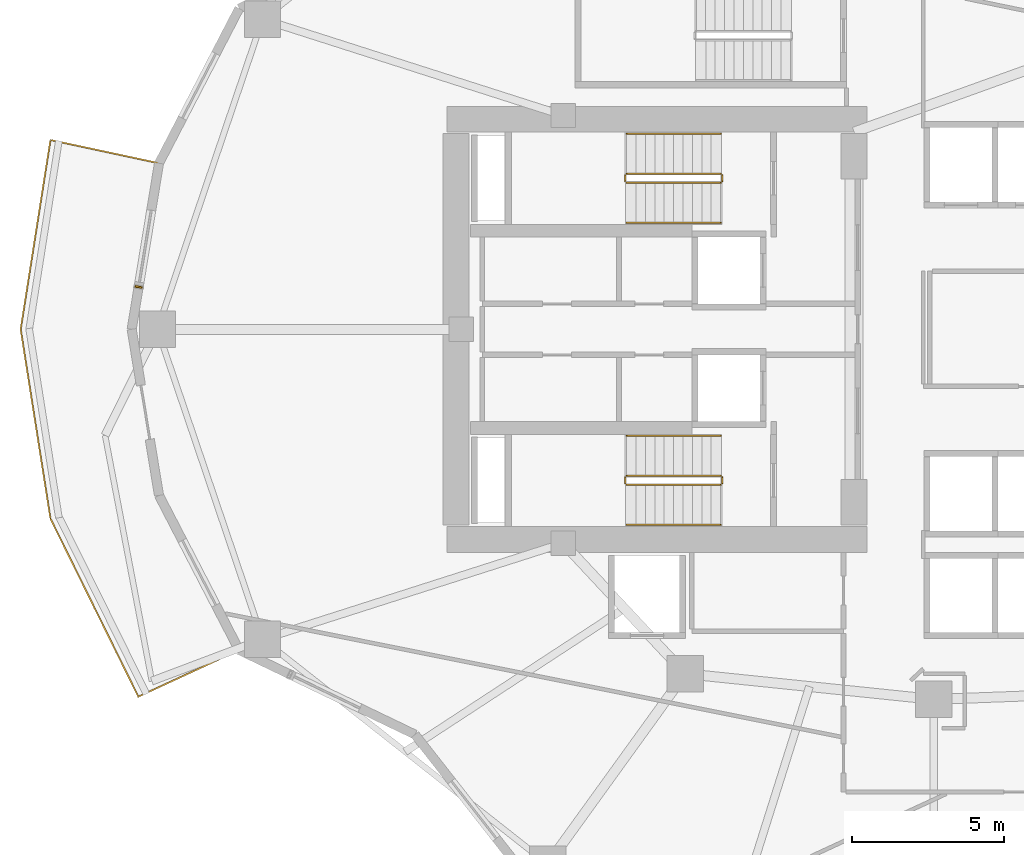
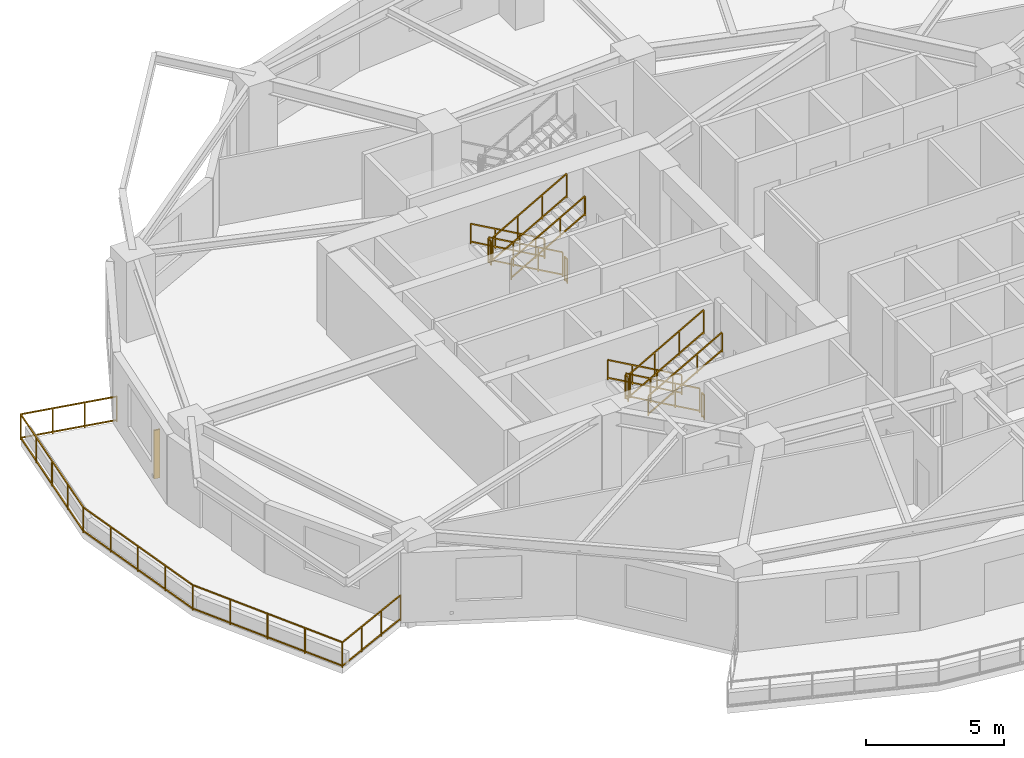
# One storey, part 11 of 14: 13 railings, 1 shading device.
"""IFC4 building model written with IfcOpenShell, lengths in metres."""

from ifc_helpers import new_model, si_unit, direction, frame, origin, origin_2d, place, context, subcontext, project, spatial, rectangle, extrude, material, type_object, element, save


model = new_model("IFC4")

# Units and contexts
model_context = context("Model", 3, precision=1e-05, world=origin(), true_north=direction((0.0, 1.0)))
body_context = subcontext(model_context, "Body", "Model", "MODEL_VIEW")
ifc_project = project(units=[si_unit("LENGTHUNIT", "METRE"), si_unit("AREAUNIT", "SQUARE_METRE"), si_unit("VOLUMEUNIT", "CUBIC_METRE"), si_unit("PLANEANGLEUNIT", "RADIAN"), si_unit("MASSUNIT", "GRAM", prefix="KILO")], contexts=[model_context])

# Site, building, storey
site_placement = place(None, origin())
site = spatial("IfcSite", under=ifc_project, at=site_placement, CompositionType="ELEMENT")
building_placement = place(site_placement, origin())
building = spatial("IfcBuilding", under=site, at=building_placement, Name="Kolvaren Gate Tower and Convention Centre", CompositionType="ELEMENT")
storey_placement = place(building_placement, frame((0.0, 0.0, 57.300048828125)))
storey = spatial("IfcBuildingStorey", under=building, at=storey_placement, Name="L13", CompositionType="ELEMENT", Elevation=57.300048828125)

# Railings
ifc_material_1 = material(Name="Brushed Stainless Steel Grade 316L", Category="steel")
railing_type_1 = type_object("IfcRailingType", Name="ARCH-RL-GUARD-1150", PredefinedType="GUARDRAIL", material=ifc_material_1)
railing_1_placement = place(storey_placement, frame((23.10009765625, 32.1298828125, 0.175048828125)))
element("IfcRailing", 1, at=railing_1_placement, inside=storey, type_object=railing_type_1, Name="L13 ST-T1 stair guard 1", PredefinedType="GUARDRAIL", context=body_context, shape_type="SweptSolid", body=[
    extrude(rectangle(XDim=0.048095703125, YDim=0.048095703125, at=origin_2d()), frame((0.0, 0.0, 1.076171875), z_axis=(-0.870830938388, 0.0, 0.491582624537), x_axis=(0.0, -1.0, 0.0)), (0.0, 0.0, 1.0), 3.559814453125),
    extrude(rectangle(XDim=0.048095703125, YDim=0.048095703125, at=origin_2d()), frame((0.0, 0.0, 0.083984375), z_axis=(-0.870830938388, 0.0, 0.491582624537), x_axis=(0.0, -1.0, 0.0)), (0.0, 0.0, 1.0), 3.559814453125),
    extrude(rectangle(XDim=0.0419921875, YDim=0.0419921875, at=origin_2d()), origin(), (0.0, 0.0, 1.0), 1.050048828125),
    extrude(rectangle(XDim=0.0419921875, YDim=0.0419921875, at=origin_2d()), frame((-3.10009765625, 0.0, 1.75)), (0.0, 0.0, 1.0), 1.050048828125),
    extrude(rectangle(XDim=0.0419921875, YDim=0.0419921875, at=origin_2d()), frame((-1.033447265625, 0.0, 0.583251953125)), (0.0, 0.0, 1.0), 1.050048828125),
    extrude(rectangle(XDim=0.0419921875, YDim=0.0419921875, at=origin_2d()), frame((-2.066650390625, 0.0, 1.166748046875)), (0.0, 0.0, 1.0), 1.050048828125),
])
railing_2_placement = place(storey_placement, frame((19.949951171875, 32.080078125, 1.925048828125)))
element("IfcRailing", 2, at=railing_2_placement, inside=storey, type_object=railing_type_1, Name="L13 ST-T1 stair guard 2", PredefinedType="GUARDRAIL", context=body_context, shape_type="SweptSolid", body=[
    extrude(rectangle(XDim=0.048095703125, YDim=0.048095703125, at=origin_2d()), frame((0.0, 0.0, 1.076171875), z_axis=(0.0, -1.0, 0.0), x_axis=(1.0, 0.0, 0.0)), (0.0, 0.0, 1.0), 0.2001953125),
    extrude(rectangle(XDim=0.048095703125, YDim=0.048095703125, at=origin_2d()), frame((0.0, 0.0, 0.083984375), z_axis=(0.0, -1.0, 0.0), x_axis=(1.0, 0.0, 0.0)), (0.0, 0.0, 1.0), 0.2001953125),
    extrude(rectangle(XDim=0.0419921875, YDim=0.0419921875, at=origin_2d()), origin(), (0.0, 0.0, 1.0), 1.050048828125),
    extrude(rectangle(XDim=0.0419921875, YDim=0.0419921875, at=origin_2d()), frame((0.0, -0.2001953125, 0.0)), (0.0, 0.0, 1.0), 1.050048828125),
])
railing_3_placement = place(storey_placement, frame((20.0, 31.830078125, 2.099853515625)))
element("IfcRailing", 3, at=railing_3_placement, inside=storey, type_object=railing_type_1, Name="L13 ST-T1 stair guard 3", PredefinedType="GUARDRAIL", context=body_context, shape_type="SweptSolid", body=[
    extrude(rectangle(XDim=0.048095703125, YDim=0.048095703125, at=origin_2d()), frame((0.0, 0.0, 1.076171875), z_axis=(0.870830938388, 0.0, 0.491582624537), x_axis=(0.0, 1.0, 0.0)), (0.0, 0.0, 1.0), 3.559814453125),
    extrude(rectangle(XDim=0.048095703125, YDim=0.048095703125, at=origin_2d()), frame((0.0, 0.0, 0.083984375), z_axis=(0.870830938388, 0.0, 0.491582624537), x_axis=(0.0, 1.0, 0.0)), (0.0, 0.0, 1.0), 3.559814453125),
    extrude(rectangle(XDim=0.0419921875, YDim=0.0419921875, at=origin_2d()), origin(), (0.0, 0.0, 1.0), 1.050048828125),
    extrude(rectangle(XDim=0.0419921875, YDim=0.0419921875, at=origin_2d()), frame((3.10009765625, 0.0, 1.75)), (0.0, 0.0, 1.0), 1.050048828125),
    extrude(rectangle(XDim=0.0419921875, YDim=0.0419921875, at=origin_2d()), frame((1.033447265625, 0.0, 0.583251953125)), (0.0, 0.0, 1.0), 1.050048828125),
    extrude(rectangle(XDim=0.0419921875, YDim=0.0419921875, at=origin_2d()), frame((2.066650390625, 0.0, 1.166748046875)), (0.0, 0.0, 1.0), 1.050048828125),
])
railing_4_placement = place(storey_placement, frame((23.14990234375, 32.080078125, 0.0)))
element("IfcRailing", 4, at=railing_4_placement, inside=storey, type_object=railing_type_1, Name="L13 ST-T1 stair guard 4", PredefinedType="GUARDRAIL", context=body_context, shape_type="SweptSolid", body=[
    extrude(rectangle(XDim=0.048095703125, YDim=0.048095703125, at=origin_2d()), frame((0.0, 0.0, 1.076171875), z_axis=(0.0, -1.0, 0.0), x_axis=(1.0, 0.0, 0.0)), (0.0, 0.0, 1.0), 0.2001953125),
    extrude(rectangle(XDim=0.048095703125, YDim=0.048095703125, at=origin_2d()), frame((0.0, 0.0, 0.083984375), z_axis=(0.0, -1.0, 0.0), x_axis=(1.0, 0.0, 0.0)), (0.0, 0.0, 1.0), 0.2001953125),
    extrude(rectangle(XDim=0.0419921875, YDim=0.0419921875, at=origin_2d()), origin(), (0.0, 0.0, 1.0), 1.050048828125),
    extrude(rectangle(XDim=0.0419921875, YDim=0.0419921875, at=origin_2d()), frame((0.0, -0.2001953125, 0.0)), (0.0, 0.0, 1.0), 1.050048828125),
])
railing_5_placement = place(storey_placement, frame((23.10009765625, 22.169921875, 0.175048828125)))
element("IfcRailing", 5, at=railing_5_placement, inside=storey, type_object=railing_type_1, Name="L13 ST-T2 stair guard 1", PredefinedType="GUARDRAIL", context=body_context, shape_type="SweptSolid", body=[
    extrude(rectangle(XDim=0.048095703125, YDim=0.048095703125, at=origin_2d()), frame((0.0, 0.0, 1.076171875), z_axis=(-0.870830938388, 0.0, 0.491582624537), x_axis=(0.0, -1.0, 0.0)), (0.0, 0.0, 1.0), 3.559814453125),
    extrude(rectangle(XDim=0.048095703125, YDim=0.048095703125, at=origin_2d()), frame((0.0, 0.0, 0.083984375), z_axis=(-0.870830938388, 0.0, 0.491582624537), x_axis=(0.0, -1.0, 0.0)), (0.0, 0.0, 1.0), 3.559814453125),
    extrude(rectangle(XDim=0.0419921875, YDim=0.0419921875, at=origin_2d()), origin(), (0.0, 0.0, 1.0), 1.050048828125),
    extrude(rectangle(XDim=0.0419921875, YDim=0.0419921875, at=origin_2d()), frame((-3.10009765625, 0.0, 1.75)), (0.0, 0.0, 1.0), 1.050048828125),
    extrude(rectangle(XDim=0.0419921875, YDim=0.0419921875, at=origin_2d()), frame((-1.033447265625, 0.0, 0.583251953125)), (0.0, 0.0, 1.0), 1.050048828125),
    extrude(rectangle(XDim=0.0419921875, YDim=0.0419921875, at=origin_2d()), frame((-2.066650390625, 0.0, 1.166748046875)), (0.0, 0.0, 1.0), 1.050048828125),
])
railing_6_placement = place(storey_placement, frame((19.949951171875, 22.1201171875, 1.925048828125)))
element("IfcRailing", 6, at=railing_6_placement, inside=storey, type_object=railing_type_1, Name="L13 ST-T2 stair guard 2", PredefinedType="GUARDRAIL", context=body_context, shape_type="SweptSolid", body=[
    extrude(rectangle(XDim=0.048095703125, YDim=0.048095703125, at=origin_2d()), frame((0.0, 0.0, 1.076171875), z_axis=(0.0, -1.0, 0.0), x_axis=(1.0, 0.0, 0.0)), (0.0, 0.0, 1.0), 0.2001953125),
    extrude(rectangle(XDim=0.048095703125, YDim=0.048095703125, at=origin_2d()), frame((0.0, 0.0, 0.083984375), z_axis=(0.0, -1.0, 0.0), x_axis=(1.0, 0.0, 0.0)), (0.0, 0.0, 1.0), 0.2001953125),
    extrude(rectangle(XDim=0.0419921875, YDim=0.0419921875, at=origin_2d()), origin(), (0.0, 0.0, 1.0), 1.050048828125),
    extrude(rectangle(XDim=0.0419921875, YDim=0.0419921875, at=origin_2d()), frame((0.0, -0.2001953125, 0.0)), (0.0, 0.0, 1.0), 1.050048828125),
])
railing_7_placement = place(storey_placement, frame((20.0, 21.8701171875, 2.099853515625)))
element("IfcRailing", 7, at=railing_7_placement, inside=storey, type_object=railing_type_1, Name="L13 ST-T2 stair guard 3", PredefinedType="GUARDRAIL", context=body_context, shape_type="SweptSolid", body=[
    extrude(rectangle(XDim=0.048095703125, YDim=0.048095703125, at=origin_2d()), frame((0.0, 0.0, 1.076171875), z_axis=(0.870830938388, 0.0, 0.491582624537), x_axis=(0.0, 1.0, 0.0)), (0.0, 0.0, 1.0), 3.559814453125),
    extrude(rectangle(XDim=0.048095703125, YDim=0.048095703125, at=origin_2d()), frame((0.0, 0.0, 0.083984375), z_axis=(0.870830938388, 0.0, 0.491582624537), x_axis=(0.0, 1.0, 0.0)), (0.0, 0.0, 1.0), 3.559814453125),
    extrude(rectangle(XDim=0.0419921875, YDim=0.0419921875, at=origin_2d()), origin(), (0.0, 0.0, 1.0), 1.050048828125),
    extrude(rectangle(XDim=0.0419921875, YDim=0.0419921875, at=origin_2d()), frame((3.10009765625, 0.0, 1.75)), (0.0, 0.0, 1.0), 1.050048828125),
    extrude(rectangle(XDim=0.0419921875, YDim=0.0419921875, at=origin_2d()), frame((1.033447265625, 0.0, 0.583251953125)), (0.0, 0.0, 1.0), 1.050048828125),
    extrude(rectangle(XDim=0.0419921875, YDim=0.0419921875, at=origin_2d()), frame((2.066650390625, 0.0, 1.166748046875)), (0.0, 0.0, 1.0), 1.050048828125),
])
railing_8_placement = place(storey_placement, frame((23.14990234375, 22.1201171875, 0.0)))
element("IfcRailing", 8, at=railing_8_placement, inside=storey, type_object=railing_type_1, Name="L13 ST-T2 stair guard 4", PredefinedType="GUARDRAIL", context=body_context, shape_type="SweptSolid", body=[
    extrude(rectangle(XDim=0.048095703125, YDim=0.048095703125, at=origin_2d()), frame((0.0, 0.0, 1.076171875), z_axis=(0.0, -1.0, 0.0), x_axis=(1.0, 0.0, 0.0)), (0.0, 0.0, 1.0), 0.2001953125),
    extrude(rectangle(XDim=0.048095703125, YDim=0.048095703125, at=origin_2d()), frame((0.0, 0.0, 0.083984375), z_axis=(0.0, -1.0, 0.0), x_axis=(1.0, 0.0, 0.0)), (0.0, 0.0, 1.0), 0.2001953125),
    extrude(rectangle(XDim=0.0419921875, YDim=0.0419921875, at=origin_2d()), origin(), (0.0, 0.0, 1.0), 1.050048828125),
    extrude(rectangle(XDim=0.0419921875, YDim=0.0419921875, at=origin_2d()), frame((0.0, -0.2001953125, 0.0)), (0.0, 0.0, 1.0), 1.050048828125),
])
railing_9_placement = place(storey_placement, frame((4.58837890625, 32.47412109375, 0.0)))
element("IfcRailing", 9, at=railing_9_placement, inside=storey, type_object=railing_type_1, Name="Tower L13 Terrace Perimeter Guardrail GR-2", PredefinedType="GUARDRAIL", context=body_context, shape_type="SweptSolid", body=[
    extrude(rectangle(XDim=0.048095703125, YDim=0.048095703125, at=origin_2d()), frame((-0.02734375, 0.005859375, 1.1259765625), z_axis=(-0.977791675321, 0.209579196661, 0.0), x_axis=(-0.209579196661, -0.977791675321, 0.0)), (0.0, 0.0, 1.0), 3.60400390625),
    extrude(rectangle(XDim=0.048095703125, YDim=0.048095703125, at=origin_2d()), frame((-0.02734375, 0.005859375, 0.083984375), z_axis=(-0.977791675321, 0.209579196661, 0.0), x_axis=(-0.209579196661, -0.977791675321, 0.0)), (0.0, 0.0, 1.0), 3.60400390625),
    extrude(rectangle(XDim=0.048095703125, YDim=0.048095703125, at=origin_2d()), frame((-3.583251953125, 0.739501953125, 1.1259765625), z_axis=(-0.155418843943, -0.98784866399, 0.0), x_axis=(0.98784866399, -0.155418843943, 0.0)), (0.0, 0.0, 1.0), 6.261962890625),
    extrude(rectangle(XDim=0.048095703125, YDim=0.048095703125, at=origin_2d()), frame((-3.583251953125, 0.739501953125, 0.083984375), z_axis=(-0.155418843943, -0.98784866399, 0.0), x_axis=(0.98784866399, -0.155418843943, 0.0)), (0.0, 0.0, 1.0), 6.261962890625),
    extrude(rectangle(XDim=0.048095703125, YDim=0.048095703125, at=origin_2d()), frame((-4.556396484375, -5.501708984375, 1.1259765625), z_axis=(0.155418843943, -0.98784866399, 0.0), x_axis=(0.98784866399, 0.155418843943, 0.0)), (0.0, 0.0, 1.0), 6.261962890625),
    extrude(rectangle(XDim=0.048095703125, YDim=0.048095703125, at=origin_2d()), frame((-4.556396484375, -5.501708984375, 0.083984375), z_axis=(0.155418843943, -0.98784866399, 0.0), x_axis=(0.98784866399, 0.155418843943, 0.0)), (0.0, 0.0, 1.0), 6.261962890625),
    extrude(rectangle(XDim=0.048095703125, YDim=0.048095703125, at=origin_2d()), frame((-3.56640625, -11.740478515625, 1.1259765625), z_axis=(0.442686636348, -0.89667638644, 0.0), x_axis=(0.89667638644, 0.442686636348, 0.0)), (0.0, 0.0, 1.0), 6.488525390625),
    extrude(rectangle(XDim=0.048095703125, YDim=0.048095703125, at=origin_2d()), frame((-3.56640625, -11.740478515625, 0.083984375), z_axis=(0.442686636348, -0.89667638644, 0.0), x_axis=(0.89667638644, 0.442686636348, 0.0)), (0.0, 0.0, 1.0), 6.488525390625),
    extrude(rectangle(XDim=0.048095703125, YDim=0.048095703125, at=origin_2d()), frame((-0.65625, -17.572021484375, 1.1259765625), z_axis=(0.907846116663, 0.419303503993, 0.0), x_axis=(-0.419303503993, 0.907846116663, 0.0)), (0.0, 0.0, 1.0), 3.60400390625),
    extrude(rectangle(XDim=0.048095703125, YDim=0.048095703125, at=origin_2d()), frame((-0.65625, -17.572021484375, 0.083984375), z_axis=(0.907846116663, 0.419303503993, 0.0), x_axis=(-0.419303503993, 0.907846116663, 0.0)), (0.0, 0.0, 1.0), 3.60400390625),
    extrude(rectangle(XDim=0.0419921875, YDim=0.0419921875, at=origin_2d()), origin(), (0.0, 0.0, 1.0), 1.14990234375),
    extrude(rectangle(XDim=0.0419921875, YDim=0.0419921875, at=origin_2d()), frame((-3.578857421875, 0.76708984375, 0.0)), (0.0, 0.0, 1.0), 1.14990234375),
    extrude(rectangle(XDim=0.0419921875, YDim=0.0419921875, at=origin_2d()), frame((-1.19287109375, 0.255615234375, 0.0)), (0.0, 0.0, 1.0), 1.099853515625),
    extrude(rectangle(XDim=0.0419921875, YDim=0.0419921875, at=origin_2d()), frame((-2.385986328125, 0.511474609375, 0.0)), (0.0, 0.0, 1.0), 1.099853515625),
    extrude(rectangle(XDim=0.0419921875, YDim=0.0419921875, at=origin_2d()), frame((-4.560791015625, -5.47412109375, 0.0)), (0.0, 0.0, 1.0), 1.14990234375),
    extrude(rectangle(XDim=0.0419921875, YDim=0.0419921875, at=origin_2d()), frame((-3.82421875, -0.793212890625, 0.0)), (0.0, 0.0, 1.0), 1.099853515625),
    extrude(rectangle(XDim=0.0419921875, YDim=0.0419921875, at=origin_2d()), frame((-4.06982421875, -2.353515625, 0.0)), (0.0, 0.0, 1.0), 1.099853515625),
    extrude(rectangle(XDim=0.0419921875, YDim=0.0419921875, at=origin_2d()), frame((-4.3154296875, -3.913818359375, 0.0)), (0.0, 0.0, 1.0), 1.099853515625),
    extrude(rectangle(XDim=0.0419921875, YDim=0.0419921875, at=origin_2d()), frame((-3.578857421875, -11.71533203125, 0.0)), (0.0, 0.0, 1.0), 1.14990234375),
    extrude(rectangle(XDim=0.0419921875, YDim=0.0419921875, at=origin_2d()), frame((-4.3154296875, -7.034423828125, 0.0)), (0.0, 0.0, 1.0), 1.099853515625),
    extrude(rectangle(XDim=0.0419921875, YDim=0.0419921875, at=origin_2d()), frame((-4.06982421875, -8.5947265625, 0.0)), (0.0, 0.0, 1.0), 1.099853515625),
    extrude(rectangle(XDim=0.0419921875, YDim=0.0419921875, at=origin_2d()), frame((-3.82421875, -10.155029296875, 0.0)), (0.0, 0.0, 1.0), 1.099853515625),
    extrude(rectangle(XDim=0.0419921875, YDim=0.0419921875, at=origin_2d()), frame((-0.681640625, -17.583740234375, 0.0)), (0.0, 0.0, 1.0), 1.14990234375),
    extrude(rectangle(XDim=0.0419921875, YDim=0.0419921875, at=origin_2d()), frame((-2.8544921875, -13.182373046875, 0.0)), (0.0, 0.0, 1.0), 1.099853515625),
    extrude(rectangle(XDim=0.0419921875, YDim=0.0419921875, at=origin_2d()), frame((-2.13037109375, -14.6494140625, 0.0)), (0.0, 0.0, 1.0), 1.099853515625),
    extrude(rectangle(XDim=0.0419921875, YDim=0.0419921875, at=origin_2d()), frame((-1.406005859375, -16.11669921875, 0.0)), (0.0, 0.0, 1.0), 1.099853515625),
    extrude(rectangle(XDim=0.0419921875, YDim=0.0419921875, at=origin_2d()), frame((2.64111328125, -16.049072265625, 0.0)), (0.0, 0.0, 1.0), 1.14990234375),
    extrude(rectangle(XDim=0.0419921875, YDim=0.0419921875, at=origin_2d()), frame((0.426025390625, -17.072265625, 0.0)), (0.0, 0.0, 1.0), 1.099853515625),
    extrude(rectangle(XDim=0.0419921875, YDim=0.0419921875, at=origin_2d()), frame((1.533447265625, -16.560546875, 0.0)), (0.0, 0.0, 1.0), 1.099853515625),
])
railing_type_2 = type_object("IfcRailingType", Name="ARCH-RL-HANDRAIL-920", PredefinedType="HANDRAIL", material=ifc_material_1)
railing_10_placement = place(storey_placement, frame((23.10009765625, 33.449951171875, 0.175048828125)))
element("IfcRailing", 10, at=railing_10_placement, inside=storey, type_object=railing_type_2, Name="L13 ST-T1 stair handrail 1", PredefinedType="HANDRAIL", context=body_context, shape_type="SweptSolid", body=[
    extrude(rectangle(XDim=0.048095703125, YDim=0.048095703125, at=origin_2d()), frame((0.0, 0.0, 0.8759765625), z_axis=(-0.870830938388, 0.0, 0.491582624537), x_axis=(0.0, -1.0, 0.0)), (0.0, 0.0, 1.0), 3.559814453125),
    extrude(rectangle(XDim=0.048095703125, YDim=0.048095703125, at=origin_2d()), frame((0.0, 0.0, 0.083984375), z_axis=(-0.870830938388, 0.0, 0.491582624537), x_axis=(0.0, -1.0, 0.0)), (0.0, 0.0, 1.0), 3.559814453125),
    extrude(rectangle(XDim=0.0419921875, YDim=0.0419921875, at=origin_2d()), origin(), (0.0, 0.0, 1.0), 0.849853515625),
    extrude(rectangle(XDim=0.0419921875, YDim=0.0419921875, at=origin_2d()), frame((-3.10009765625, 0.0, 1.75)), (0.0, 0.0, 1.0), 0.849853515625),
    extrude(rectangle(XDim=0.0419921875, YDim=0.0419921875, at=origin_2d()), frame((-1.033447265625, 0.0, 0.583251953125)), (0.0, 0.0, 1.0), 0.849853515625),
    extrude(rectangle(XDim=0.0419921875, YDim=0.0419921875, at=origin_2d()), frame((-2.066650390625, 0.0, 1.166748046875)), (0.0, 0.0, 1.0), 0.849853515625),
])
railing_11_placement = place(storey_placement, frame((20.0, 30.510009765625, 2.099853515625)))
element("IfcRailing", 11, at=railing_11_placement, inside=storey, type_object=railing_type_2, Name="L13 ST-T1 stair handrail 2", PredefinedType="HANDRAIL", context=body_context, shape_type="SweptSolid", body=[
    extrude(rectangle(XDim=0.048095703125, YDim=0.048095703125, at=origin_2d()), frame((0.0, 0.0, 0.8759765625), z_axis=(0.870830938388, 0.0, 0.491582624537), x_axis=(0.0, 1.0, 0.0)), (0.0, 0.0, 1.0), 3.559814453125),
    extrude(rectangle(XDim=0.048095703125, YDim=0.048095703125, at=origin_2d()), frame((0.0, 0.0, 0.083984375), z_axis=(0.870830938388, 0.0, 0.491582624537), x_axis=(0.0, 1.0, 0.0)), (0.0, 0.0, 1.0), 3.559814453125),
    extrude(rectangle(XDim=0.0419921875, YDim=0.0419921875, at=origin_2d()), origin(), (0.0, 0.0, 1.0), 0.849853515625),
    extrude(rectangle(XDim=0.0419921875, YDim=0.0419921875, at=origin_2d()), frame((3.10009765625, 0.0, 1.75)), (0.0, 0.0, 1.0), 0.849853515625),
    extrude(rectangle(XDim=0.0419921875, YDim=0.0419921875, at=origin_2d()), frame((1.033447265625, 0.0, 0.583251953125)), (0.0, 0.0, 1.0), 0.849853515625),
    extrude(rectangle(XDim=0.0419921875, YDim=0.0419921875, at=origin_2d()), frame((2.066650390625, 0.0, 1.166748046875)), (0.0, 0.0, 1.0), 0.849853515625),
])
railing_12_placement = place(storey_placement, frame((23.10009765625, 23.489990234375, 0.175048828125)))
element("IfcRailing", 12, at=railing_12_placement, inside=storey, type_object=railing_type_2, Name="L13 ST-T2 stair handrail 1", PredefinedType="HANDRAIL", context=body_context, shape_type="SweptSolid", body=[
    extrude(rectangle(XDim=0.048095703125, YDim=0.048095703125, at=origin_2d()), frame((0.0, 0.0, 0.8759765625), z_axis=(-0.870830938388, 0.0, 0.491582624537), x_axis=(0.0, -1.0, 0.0)), (0.0, 0.0, 1.0), 3.559814453125),
    extrude(rectangle(XDim=0.048095703125, YDim=0.048095703125, at=origin_2d()), frame((0.0, 0.0, 0.083984375), z_axis=(-0.870830938388, 0.0, 0.491582624537), x_axis=(0.0, -1.0, 0.0)), (0.0, 0.0, 1.0), 3.559814453125),
    extrude(rectangle(XDim=0.0419921875, YDim=0.0419921875, at=origin_2d()), origin(), (0.0, 0.0, 1.0), 0.849853515625),
    extrude(rectangle(XDim=0.0419921875, YDim=0.0419921875, at=origin_2d()), frame((-3.10009765625, 0.0, 1.75)), (0.0, 0.0, 1.0), 0.849853515625),
    extrude(rectangle(XDim=0.0419921875, YDim=0.0419921875, at=origin_2d()), frame((-1.033447265625, 0.0, 0.583251953125)), (0.0, 0.0, 1.0), 0.849853515625),
    extrude(rectangle(XDim=0.0419921875, YDim=0.0419921875, at=origin_2d()), frame((-2.066650390625, 0.0, 1.166748046875)), (0.0, 0.0, 1.0), 0.849853515625),
])
railing_13_placement = place(storey_placement, frame((20.0, 20.550048828125, 2.099853515625)))
element("IfcRailing", 13, at=railing_13_placement, inside=storey, type_object=railing_type_2, Name="L13 ST-T2 stair handrail 2", PredefinedType="HANDRAIL", context=body_context, shape_type="SweptSolid", body=[
    extrude(rectangle(XDim=0.048095703125, YDim=0.048095703125, at=origin_2d()), frame((0.0, 0.0, 0.8759765625), z_axis=(0.870830938388, 0.0, 0.491582624537), x_axis=(0.0, 1.0, 0.0)), (0.0, 0.0, 1.0), 3.559814453125),
    extrude(rectangle(XDim=0.048095703125, YDim=0.048095703125, at=origin_2d()), frame((0.0, 0.0, 0.083984375), z_axis=(0.870830938388, 0.0, 0.491582624537), x_axis=(0.0, 1.0, 0.0)), (0.0, 0.0, 1.0), 3.559814453125),
    extrude(rectangle(XDim=0.0419921875, YDim=0.0419921875, at=origin_2d()), origin(), (0.0, 0.0, 1.0), 0.849853515625),
    extrude(rectangle(XDim=0.0419921875, YDim=0.0419921875, at=origin_2d()), frame((3.10009765625, 0.0, 1.75)), (0.0, 0.0, 1.0), 0.849853515625),
    extrude(rectangle(XDim=0.0419921875, YDim=0.0419921875, at=origin_2d()), frame((1.033447265625, 0.0, 0.583251953125)), (0.0, 0.0, 1.0), 0.849853515625),
    extrude(rectangle(XDim=0.0419921875, YDim=0.0419921875, at=origin_2d()), frame((2.066650390625, 0.0, 1.166748046875)), (0.0, 0.0, 1.0), 0.849853515625),
])

# Shading device
ifc_material_2 = material(Name="Kiln-Fired Bogota Terracotta Ceramic Louvre Profile", Category="masonry")
shading_device_type = type_object("IfcShadingDeviceType", Name="ARCH-SHD-FIN-180", PredefinedType="JALOUSIE", material=ifc_material_2)
shading_device_placement = place(storey_placement, frame((3.9169921875, 28.395263671875, 0.219970703125), z_axis=(0.0, 0.0, 1.0), x_axis=(0.162375401515, 0.986729055508, 0.0)))
element("IfcShadingDevice", 14, at=shading_device_placement, inside=storey, type_object=shading_device_type, Name="Ceramic Vertical Brise-Soleil Fin FN-L13-11", PredefinedType="JALOUSIE", context=body_context, shape_type="SweptSolid", body=[
    extrude(rectangle(XDim=0.06005859375, YDim=0.239990234375, at=origin_2d()), origin(), (0.0, 0.0, 1.0), 2.14990234375),
])

save(model, "model.ifc")
